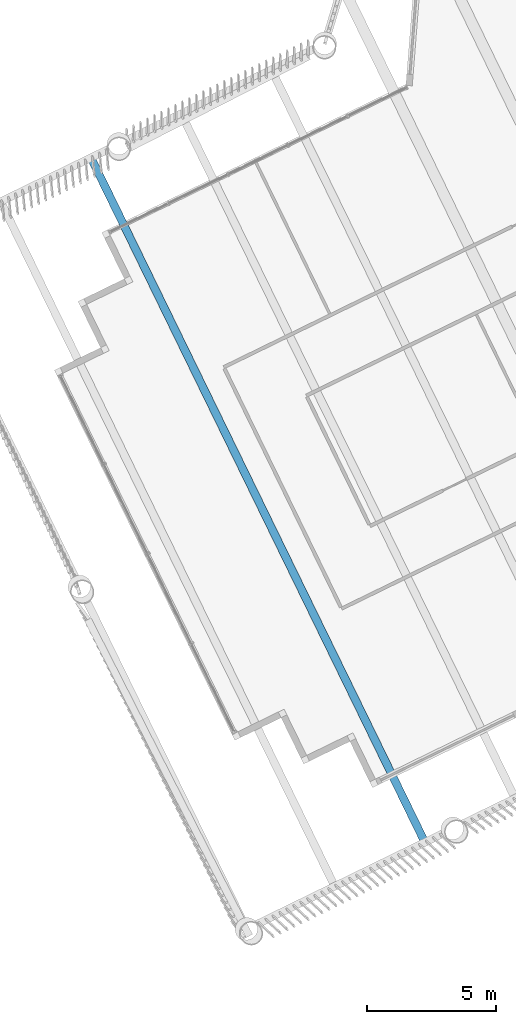
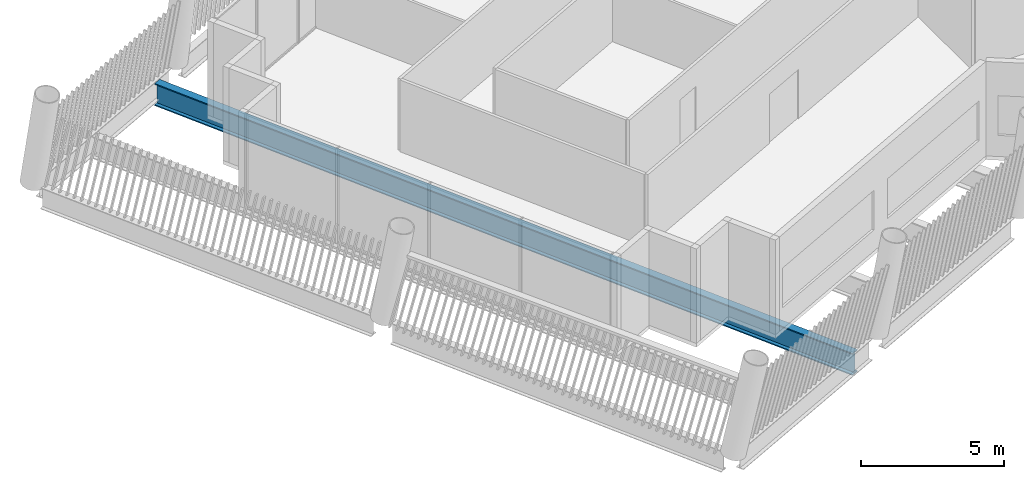
# One storey, part 7 of 31: 1 beam.
"""IFC4 building model written with IfcOpenShell, lengths in metres."""

from ifc_helpers import new_model, si_unit, direction, frame, origin, origin_2d, place, context, subcontext, project, spatial, i_section, extrude, material, material_profile, profile_set, type_object, element, save


model = new_model("IFC4")

# Units and contexts
model_context = context("Model", 3, precision=1e-05, world=origin(), true_north=direction((0.0, 1.0)))
body_context = subcontext(model_context, "Body", "Model", "MODEL_VIEW")
ifc_project = project(units=[si_unit("LENGTHUNIT", "METRE"), si_unit("AREAUNIT", "SQUARE_METRE"), si_unit("VOLUMEUNIT", "CUBIC_METRE"), si_unit("PLANEANGLEUNIT", "RADIAN"), si_unit("MASSUNIT", "GRAM", prefix="KILO")], contexts=[model_context])

# Site, building, storey
site_placement = place(None, origin())
site = spatial("IfcSite", under=ifc_project, at=site_placement, CompositionType="ELEMENT")
building_placement = place(site_placement, origin())
building = spatial("IfcBuilding", under=site, at=building_placement, Name="Tarsis Ring Headquarters", CompositionType="ELEMENT")
storey_placement = place(building_placement, frame((0.0, 0.0, 390.199951171875)))
storey = spatial("IfcBuildingStorey", under=building, at=storey_placement, Name="L92", CompositionType="ELEMENT", Elevation=390.199951171875)

# Beam
ifc_material = material(Name="Structural steel S355", Category="steel")
ifc_material_profile = material_profile(ifc_material, i_section(OverallWidth=0.309814453125, OverallDepth=0.949951171875, WebThickness=0.0244140625, FlangeThickness=0.0439453125, at=origin_2d()), Name="W36x256")
ifc_profile_set = profile_set([ifc_material_profile], Name="Structural steel S355")
beam_type = type_object("IfcBeamType", Name="FB Floor beam W36x256", PredefinedType="JOIST", material=ifc_profile_set)
beam_placement = place(storey_placement, frame((-38.0126953125, -2.1318359375, -0.635009765625), z_axis=(0.438374870395, -0.898792230166, 0.0), x_axis=(0.898792230166, 0.438374870395, 0.0)))
element("IfcBeam", 1, at=beam_placement, inside=storey, type_object=beam_type, Name="Floor beam FB11", PredefinedType="JOIST", context=body_context, shape_type="SweptSolid", body=[
    extrude(i_section(OverallWidth=0.309814453125, OverallDepth=0.949951171875, WebThickness=0.0244140625, FlangeThickness=0.0439453125, at=origin_2d()), origin(), (0.0, 0.0, 1.0), 29.4951171875),
])

save(model, "model.ifc")
